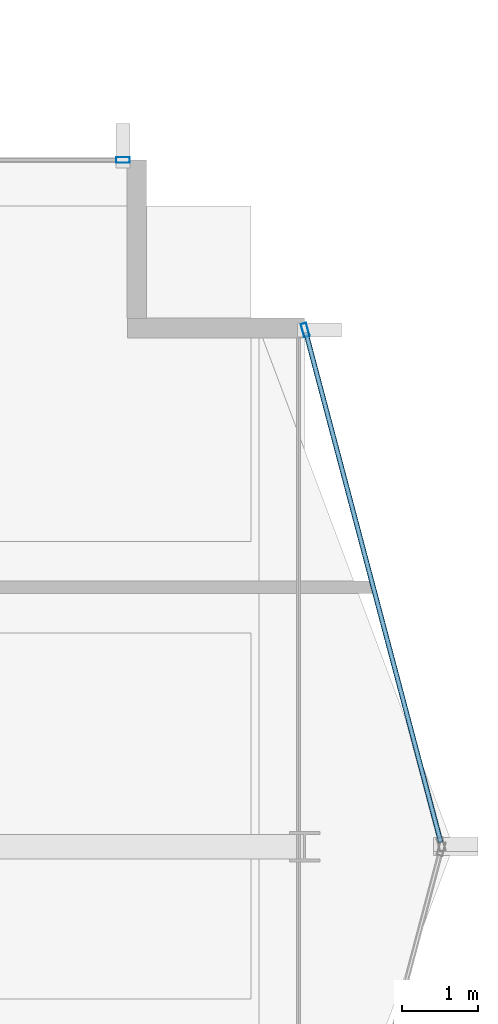
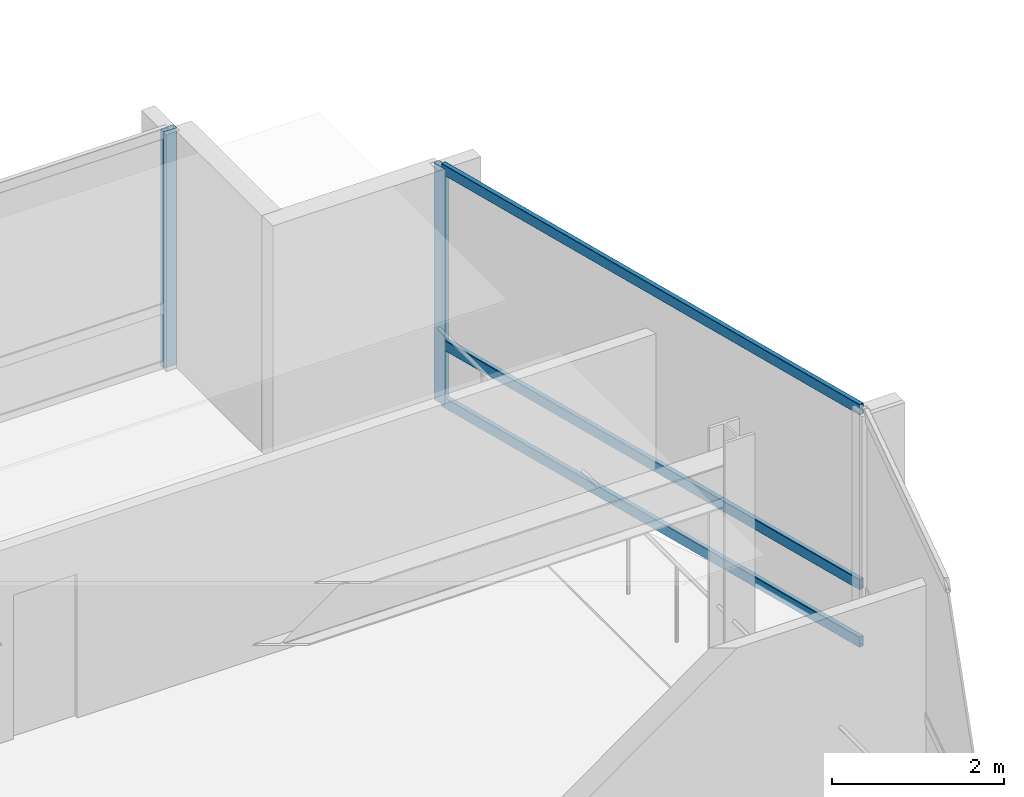
# One storey, part 14 of 27: 5 members, 2 elements without a shape of their own.
"""IFC4 building model written with IfcOpenShell, lengths in metres."""

from ifc_helpers import new_model, si_unit, direction, frame, origin, origin_2d, place, context, subcontext, project, spatial, hollow_rectangle, extrude, material, layer, layer_set, material_profile, profile_set, type_object, element, aggregate, save


model = new_model("IFC4")

# Units and contexts
model_context = context("Model", 3, precision=1e-05, world=origin(), true_north=direction((0.0, 1.0)))
body_context = subcontext(model_context, "Body", "Model", "MODEL_VIEW")
ifc_project = project(units=[si_unit("LENGTHUNIT", "METRE"), si_unit("AREAUNIT", "SQUARE_METRE"), si_unit("VOLUMEUNIT", "CUBIC_METRE"), si_unit("PLANEANGLEUNIT", "RADIAN"), si_unit("MASSUNIT", "GRAM", prefix="KILO")], contexts=[model_context])

# Site, building, storey
site_placement = place(None, origin())
site = spatial("IfcSite", under=ifc_project, at=site_placement, CompositionType="ELEMENT")
building_placement = place(site_placement, origin())
building = spatial("IfcBuilding", under=site, at=building_placement, Name="Solvaryn Broadcast Tower", CompositionType="ELEMENT")
storey_placement = place(building_placement, frame((0.0, 0.0, 232.10009765625)))
storey = spatial("IfcBuildingStorey", under=building, at=storey_placement, Name="L58", CompositionType="ELEMENT", Elevation=232.10009765625)

# Curtain wall, member
ifc_material_1 = material(Name="Aluminium and Terracotta Unitised Curtain Wall", Category="masonry")
ifc_layer = layer(ifc_material_1, 0.199951171875)
ifc_layer_set = layer_set([ifc_layer], Name="CW-SYS2-LOWMID")
curtain_wall_type = type_object("IfcCurtainWallType", Name="CW-SYS2-LOWMID", PredefinedType="NOTDEFINED", material=ifc_layer_set)
curtain_wall_1_placement = place(storey_placement, origin())
curtain_wall_1 = element("IfcCurtainWall", 1, at=curtain_wall_1_placement, inside=storey, type_object=curtain_wall_type, Name="L58 Curtain Wall ET1", PredefinedType="NOTDEFINED")
ifc_material_2 = material(Name="Anodised Aluminium 6063-T6", Category="aluminium")
ifc_material_profile_1 = material_profile(ifc_material_2, hollow_rectangle(XDim=0.074951171875, YDim=0.179931640625, WallThickness=0.00390625, InnerFilletRadius=0.00390625, OuterFilletRadius=0.008056640625, at=origin_2d()))
ifc_profile_set_1 = profile_set([ifc_material_profile_1], Name="Anodised Aluminium 6063-T6")
member_type_1 = type_object("IfcMemberType", Name="CW-MUL-180", PredefinedType="MULLION", material=ifc_profile_set_1)
member_1_placement = place(storey_placement, frame((54.007568359375, 24.77099609375, 0.0), z_axis=(0.0, 0.0, 1.0), x_axis=(0.966705227863, 0.25589256031, 0.0)))
member_1 = element("IfcMember", 2, at=member_1_placement, type_object=member_type_1, Name="CWS2 mullion 1", PredefinedType="MULLION", context=body_context, shape_type="SweptSolid", body=[
    extrude(hollow_rectangle(XDim=0.074951171875, YDim=0.179931640625, WallThickness=0.00390625, InnerFilletRadius=0.00390625, OuterFilletRadius=0.008056640625, at=origin_2d()), origin(), (0.0, 0.0, 1.0), 3.369873046875),
])

curtain_wall_2_placement = place(storey_placement, origin())
curtain_wall_2 = element("IfcCurtainWall", 3, at=curtain_wall_2_placement, inside=storey, type_object=curtain_wall_type, Name="L58 Curtain Wall IH", PredefinedType="NOTDEFINED")
member_2_placement = place(storey_placement, frame((51.6201171875, 27.0, 0.0), z_axis=(0.0, 0.0, 1.0), x_axis=(0.0, 1.0, 0.0)))
member_2 = element("IfcMember", 4, at=member_2_placement, type_object=member_type_1, Name="CWS2 mullion 2", PredefinedType="MULLION", context=body_context, shape_type="SweptSolid", body=[
    extrude(hollow_rectangle(XDim=0.074951171875, YDim=0.179931640625, WallThickness=0.00390625, InnerFilletRadius=0.00390625, OuterFilletRadius=0.008056640625, at=origin_2d()), origin(), (0.0, 0.0, 1.0), 3.369873046875),
])
aggregate(curtain_wall_2, [member_2])

# Member
ifc_material_3 = material(Name="Anodised Aluminium 6063-T6", Category="aluminium")
ifc_material_profile_2 = material_profile(ifc_material_3, hollow_rectangle(XDim=0.06494140625, YDim=0.14990234375, WallThickness=0.00390625, InnerFilletRadius=0.00390625, OuterFilletRadius=0.008056640625, at=origin_2d()))
ifc_profile_set_2 = profile_set([ifc_material_profile_2], Name="Anodised Aluminium 6063-T6")
member_type_2 = type_object("IfcMemberType", Name="CW-TRN-150", PredefinedType="USERDEFINED", material=ifc_profile_set_2)
member_3_placement = place(storey_placement, frame((54.015380859375, 24.741943359375, 0.02978515625), z_axis=(0.255897413051, -0.966703943301, 0.0), x_axis=(0.966703943301, 0.255897413051, 0.0)))
member_3 = element("IfcMember", 5, at=member_3_placement, type_object=member_type_2, Name="CWS2 transom 1.1", ObjectType="TRANSOM", PredefinedType="USERDEFINED", context=body_context, shape_type="SweptSolid", body=[
    extrude(hollow_rectangle(XDim=0.06494140625, YDim=0.14990234375, WallThickness=0.00390625, InnerFilletRadius=0.00390625, OuterFilletRadius=0.008056640625, at=origin_2d()), origin(), (0.0, 0.0, 1.0), 6.9140625),
])

member_4_placement = place(storey_placement, frame((54.015380859375, 24.741943359375, 0.849853515625), z_axis=(0.255897413051, -0.966703943301, 0.0), x_axis=(0.966703943301, 0.255897413051, 0.0)))
member_4 = element("IfcMember", 6, at=member_4_placement, type_object=member_type_2, Name="CWS2 transom 1.2", ObjectType="TRANSOM", PredefinedType="USERDEFINED", context=body_context, shape_type="SweptSolid", body=[
    extrude(hollow_rectangle(XDim=0.06494140625, YDim=0.14990234375, WallThickness=0.00390625, InnerFilletRadius=0.00390625, OuterFilletRadius=0.008056640625, at=origin_2d()), origin(), (0.0, 0.0, 1.0), 6.9140625),
])

member_5_placement = place(storey_placement, frame((54.015380859375, 24.741943359375, 3.33984375), z_axis=(0.255897413051, -0.966703943301, 0.0), x_axis=(0.966703943301, 0.255897413051, 0.0)))
member_5 = element("IfcMember", 7, at=member_5_placement, type_object=member_type_2, Name="CWS2 transom 1.3", ObjectType="TRANSOM", PredefinedType="USERDEFINED", context=body_context, shape_type="SweptSolid", body=[
    extrude(hollow_rectangle(XDim=0.06494140625, YDim=0.14990234375, WallThickness=0.00390625, InnerFilletRadius=0.00390625, OuterFilletRadius=0.008056640625, at=origin_2d()), origin(), (0.0, 0.0, 1.0), 6.9140625),
])

aggregate(curtain_wall_1, [member_1, member_3, member_4, member_5])

save(model, "model.ifc")
